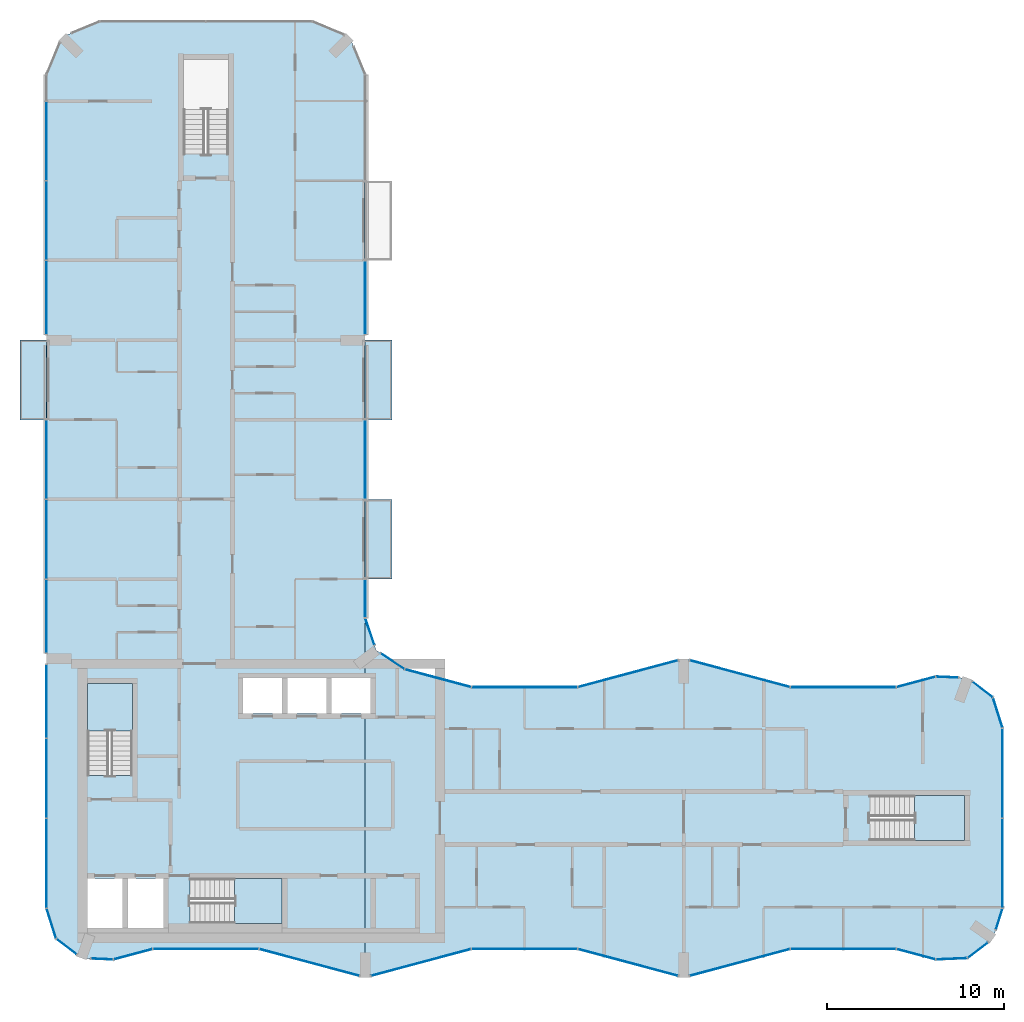
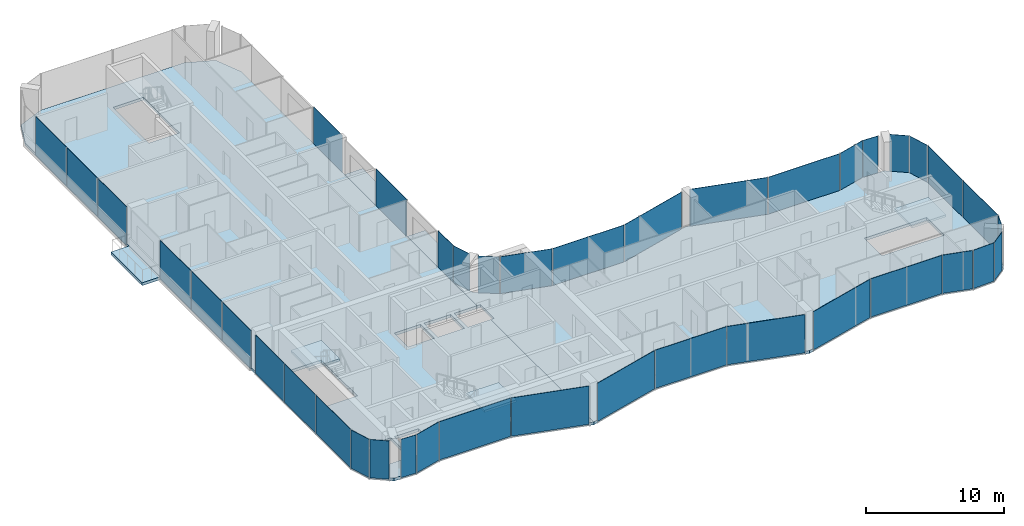
# One storey, part 8 of 15: 40 plates, 8 slabs, 36 elements without a shape of their own.
"""IFC4 building model written with IfcOpenShell, lengths in metres."""

from ifc_helpers import new_model, si_unit, direction, frame, origin, origin_2d, place, context, subcontext, project, spatial, polyline, rectangle, outline, extrude, material, layer, layer_set, type_object, element, aggregate, save


model = new_model("IFC4")

# Units and contexts
model_context = context("Model", 3, precision=1e-05, world=origin(), true_north=direction((0.0, 1.0)))
body_context = subcontext(model_context, "Body", "Model", "MODEL_VIEW")
ifc_project = project(units=[si_unit("LENGTHUNIT", "METRE"), si_unit("AREAUNIT", "SQUARE_METRE"), si_unit("VOLUMEUNIT", "CUBIC_METRE"), si_unit("PLANEANGLEUNIT", "RADIAN"), si_unit("MASSUNIT", "GRAM", prefix="KILO")], contexts=[model_context])

# Site, building, storey
site_placement = place(None, origin())
site = spatial("IfcSite", under=ifc_project, at=site_placement, CompositionType="ELEMENT")
building_placement = place(site_placement, origin())
building = spatial("IfcBuilding", under=site, at=building_placement, Name="Plateau Cross Towers", CompositionType="ELEMENT")
storey_placement = place(building_placement, frame((0.0, 0.0, 204.89990234375)))
storey = spatial("IfcBuildingStorey", under=building, at=storey_placement, Name="L53", CompositionType="ELEMENT", Elevation=204.89990234375)

# Slabs
ifc_material_1 = material(Name="Concrete C40/50", Category="concrete")
ifc_layer_1 = layer(ifc_material_1, 0.25)
ifc_layer_set_1 = layer_set([ifc_layer_1], Name="Concrete C40/50")
slab_type_1 = type_object("IfcSlabType", Name="Balcony slab 250", PredefinedType="FLOOR", material=ifc_layer_set_1)
slab_1_placement = place(storey_placement, frame((0.0, 0.0, -0.25)))
element("IfcSlab", 1, at=slab_1_placement, inside=storey, type_object=slab_type_1, Name="Balcony slab A-BAL-L53-01", PredefinedType="FLOOR", context=body_context, shape_type="SweptSolid", body=[
    extrude(outline(polyline([(0.0, 31.5), (0.0, 36.0), (-1.5, 36.0), (-1.5, 31.5), (0.0, 31.5)])), origin(), (0.0, 0.0, 1.0), 0.25),
])
slab_2_placement = place(storey_placement, frame((0.0, 0.0, -0.25)))
element("IfcSlab", 2, at=slab_2_placement, inside=storey, type_object=slab_type_1, Name="Balcony slab A-BAL-L53-02", PredefinedType="FLOOR", context=body_context, shape_type="SweptSolid", body=[
    extrude(outline(polyline([(19.5, 22.5), (19.5, 27.0), (18.0, 27.0), (18.0, 22.5), (19.5, 22.5)])), origin(), (0.0, 0.0, 1.0), 0.25),
])
slab_3_placement = place(storey_placement, frame((0.0, 0.0, -0.25)))
element("IfcSlab", 3, at=slab_3_placement, inside=storey, type_object=slab_type_1, Name="Balcony slab A-BAL-L53-03", PredefinedType="FLOOR", context=body_context, shape_type="SweptSolid", body=[
    extrude(outline(polyline([(19.5, 31.5), (19.5, 36.0), (18.0, 36.0), (18.0, 31.5), (19.5, 31.5)])), origin(), (0.0, 0.0, 1.0), 0.25),
])

# Curtain wall, plate
ifc_material_2 = material(Name="Dark low-iron glass", Category="glass")
ifc_layer_2 = layer(ifc_material_2, 0.239990234375)
ifc_layer_set_2 = layer_set([ifc_layer_2], Name="Dark low-iron glass")
curtain_wall_type_1 = type_object("IfcCurtainWallType", Name="Curtain wall flush unitised CW-B", PredefinedType="NOTDEFINED", material=ifc_layer_set_2)
curtain_wall_1_placement = place(storey_placement, origin())
curtain_wall_1 = element("IfcCurtainWall", 4, at=curtain_wall_1_placement, inside=storey, type_object=curtain_wall_type_1, Name="ENV/A/L53/A502_10", PredefinedType="NOTDEFINED")
ifc_layer_3 = layer(ifc_material_2, 0.031982421875)
ifc_layer_set_3 = layer_set([ifc_layer_3], Name="Dark low-iron glass")
plate_type_1 = type_object("IfcPlateType", Name="Glass panel 32 flush unitised", PredefinedType="CURTAIN_PANEL", material=ifc_layer_set_3)
plate_1_placement = place(storey_placement, frame((51.125, 1.05078125, -0.1298828125), z_axis=(0.0, 0.0, 1.0), x_axis=(0.999043701491, 0.043722791671, 0.0)))
plate_1 = element("IfcPlate", 5, at=plate_1_placement, type_object=plate_type_1, Name="CW-B panel 1", PredefinedType="CURTAIN_PANEL", context=body_context, shape_type="SweptSolid", body=[
    extrude(rectangle(XDim=1.744140625, YDim=0.031982421875, at=origin_2d()), origin(), (0.0, 0.0, 1.0), 3.3798828125),
])
aggregate(curtain_wall_1, [plate_1])

curtain_wall_2_placement = place(storey_placement, origin())
curtain_wall_2 = element("IfcCurtainWall", 6, at=curtain_wall_2_placement, inside=storey, type_object=curtain_wall_type_1, Name="ENV/A/L53/A520_11", PredefinedType="NOTDEFINED")
plate_2_placement = place(storey_placement, frame((52.60986328125, 1.5380859375, -0.1298828125), z_axis=(0.0, 0.0, 1.0), x_axis=(0.793315514529, 0.608810721331, 0.0)))
plate_2 = element("IfcPlate", 7, at=plate_2_placement, type_object=plate_type_1, Name="CW-B panel 1", PredefinedType="CURTAIN_PANEL", context=body_context, shape_type="SweptSolid", body=[
    extrude(rectangle(XDim=1.41162109375, YDim=0.031982421875, at=origin_2d()), origin(), (0.0, 0.0, 1.0), 3.3798828125),
])
aggregate(curtain_wall_2, [plate_2])

curtain_wall_3_placement = place(storey_placement, origin())
curtain_wall_3 = element("IfcCurtainWall", 8, at=curtain_wall_3_placement, inside=storey, type_object=curtain_wall_type_1, Name="ENV/A/L53/A536_27", PredefinedType="NOTDEFINED")
plate_3_placement = place(storey_placement, frame((53.805419921875, 3.292236328125, -0.1298828125), z_axis=(0.0, 0.0, 1.0), x_axis=(0.300686174994, 0.95372313811, 0.0)))
plate_3 = element("IfcPlate", 9, at=plate_3_placement, type_object=plate_type_1, Name="CW-B panel 1", PredefinedType="CURTAIN_PANEL", context=body_context, shape_type="SweptSolid", body=[
    extrude(rectangle(XDim=1.233642578125, YDim=0.031982421875, at=origin_2d()), origin(), (0.0, 0.0, 1.0), 3.3798828125),
])
aggregate(curtain_wall_3, [plate_3])

# Curtain wall, plates
curtain_wall_4_placement = place(storey_placement, origin())
curtain_wall_4 = element("IfcCurtainWall", 10, at=curtain_wall_4_placement, inside=storey, type_object=curtain_wall_type_1, Name="ENV/A/L53/A540_39", PredefinedType="NOTDEFINED")
plate_4_placement = place(storey_placement, frame((54.0, 6.45458984375, -0.1298828125), z_axis=(0.0, 0.0, 1.0), x_axis=(0.0, 1.0, 0.0)))
plate_4 = element("IfcPlate", 11, at=plate_4_placement, type_object=plate_type_1, Name="CW-B panel 1", PredefinedType="CURTAIN_PANEL", context=body_context, shape_type="SweptSolid", body=[
    extrude(rectangle(XDim=5.03076171875, YDim=0.031982421875, at=origin_2d()), origin(), (0.0, 0.0, 1.0), 3.3798828125),
])
plate_5_placement = place(storey_placement, frame((54.0, 11.54541015625, -0.1298828125), z_axis=(0.0, 0.0, 1.0), x_axis=(0.0, 1.0, 0.0)))
plate_5 = element("IfcPlate", 12, at=plate_5_placement, type_object=plate_type_1, Name="CW-B panel 2", PredefinedType="CURTAIN_PANEL", context=body_context, shape_type="SweptSolid", body=[
    extrude(rectangle(XDim=5.03076171875, YDim=0.031982421875, at=origin_2d()), origin(), (0.0, 0.0, 1.0), 3.3798828125),
])
aggregate(curtain_wall_4, [plate_4, plate_5])

# Curtain wall, plate
curtain_wall_5_placement = place(storey_placement, origin())
curtain_wall_5 = element("IfcCurtainWall", 13, at=curtain_wall_5_placement, inside=storey, type_object=curtain_wall_type_1, Name="ENV/A/L53/A540_141", PredefinedType="NOTDEFINED")
plate_6_placement = place(storey_placement, frame((53.728759765625, 14.951171875, -0.1298828125), z_axis=(0.0, 0.0, 1.0), x_axis=(-0.300686174994, 0.95372313811, 0.0)))
plate_6 = element("IfcPlate", 14, at=plate_6_placement, type_object=plate_type_1, Name="CW-B panel 1", PredefinedType="CURTAIN_PANEL", context=body_context, shape_type="SweptSolid", body=[
    extrude(rectangle(XDim=1.744140625, YDim=0.031982421875, at=origin_2d()), origin(), (0.0, 0.0, 1.0), 3.3798828125),
])
aggregate(curtain_wall_5, [plate_6])

curtain_wall_6_placement = place(storey_placement, origin())
curtain_wall_6 = element("IfcCurtainWall", 15, at=curtain_wall_6_placement, inside=storey, type_object=curtain_wall_type_1, Name="ENV/A/L53/A535_158", PredefinedType="NOTDEFINED")
plate_7_placement = place(storey_placement, frame((52.873779296875, 16.25927734375, -0.1298828125), z_axis=(0.0, 0.0, 1.0), x_axis=(-0.793315514529, 0.608810721331, 0.0)))
plate_7 = element("IfcPlate", 16, at=plate_7_placement, type_object=plate_type_1, Name="CW-B panel 1", PredefinedType="CURTAIN_PANEL", context=body_context, shape_type="SweptSolid", body=[
    extrude(rectangle(XDim=1.41162109375, YDim=0.031982421875, at=origin_2d()), origin(), (0.0, 0.0, 1.0), 3.3798828125),
])
aggregate(curtain_wall_6, [plate_7])

curtain_wall_7_placement = place(storey_placement, origin())
curtain_wall_7 = element("IfcCurtainWall", 17, at=curtain_wall_7_placement, inside=storey, type_object=curtain_wall_type_1, Name="ENV/A/L53/A515_169", PredefinedType="NOTDEFINED")
plate_8_placement = place(storey_placement, frame((50.8701171875, 16.96044921875, -0.1298828125), z_axis=(0.0, 0.0, 1.0), x_axis=(-0.999043701491, 0.043722791671, 0.0)))
plate_8 = element("IfcPlate", 18, at=plate_8_placement, type_object=plate_type_1, Name="CW-B panel 1", PredefinedType="CURTAIN_PANEL", context=body_context, shape_type="SweptSolid", body=[
    extrude(rectangle(XDim=1.233642578125, YDim=0.031982421875, at=origin_2d()), origin(), (0.0, 0.0, 1.0), 3.3798828125),
])
aggregate(curtain_wall_7, [plate_8])

curtain_wall_8_placement = place(storey_placement, origin())
curtain_wall_8 = element("IfcCurtainWall", 19, at=curtain_wall_8_placement, inside=storey, type_object=curtain_wall_type_1, Name="ENV/A/L53/A202_174", PredefinedType="NOTDEFINED")
plate_9_placement = place(storey_placement, frame((19.546630859375, 17.856689453125, -0.1298828125), z_axis=(0.0, 0.0, 1.0), x_axis=(-0.831521253329, 0.555492938984, 0.0)))
plate_9 = element("IfcPlate", 20, at=plate_9_placement, type_object=plate_type_1, Name="CW-B panel 1", PredefinedType="CURTAIN_PANEL", context=body_context, shape_type="SweptSolid", body=[
    extrude(rectangle(XDim=1.56884765625, YDim=0.031982421875, at=origin_2d()), origin(), (0.0, 0.0, 1.0), 3.3798828125),
])
aggregate(curtain_wall_8, [plate_9])

curtain_wall_9_placement = place(storey_placement, origin())
curtain_wall_9 = element("IfcCurtainWall", 21, at=curtain_wall_9_placement, inside=storey, type_object=curtain_wall_type_1, Name="ENV/A/L53/A185_188", PredefinedType="NOTDEFINED")
plate_10_placement = place(storey_placement, frame((18.26171875, 19.531005859375, -0.1298828125), z_axis=(0.0, 0.0, 1.0), x_axis=(-0.321469161574, 0.94692004845, 0.0)))
plate_10 = element("IfcPlate", 22, at=plate_10_placement, type_object=plate_type_1, Name="CW-B panel 1", PredefinedType="CURTAIN_PANEL", context=body_context, shape_type="SweptSolid", body=[
    extrude(rectangle(XDim=1.56884765625, YDim=0.031982421875, at=origin_2d()), origin(), (0.0, 0.0, 1.0), 3.3798828125),
])
aggregate(curtain_wall_9, [plate_10])

curtain_wall_10_placement = place(storey_placement, origin())
curtain_wall_10 = element("IfcCurtainWall", 23, at=curtain_wall_10_placement, inside=storey, type_object=curtain_wall_type_1, Name="ENV/A/L53/A180_203", PredefinedType="NOTDEFINED")
plate_11_placement = place(storey_placement, frame((18.0, 21.396240234375, -0.1298828125), z_axis=(0.0, 0.0, 1.0), x_axis=(0.0, 1.0, 0.0)))
plate_11 = element("IfcPlate", 24, at=plate_11_placement, type_object=plate_type_1, Name="CW-B panel 1", PredefinedType="CURTAIN_PANEL", context=body_context, shape_type="SweptSolid", body=[
    extrude(rectangle(XDim=2.127685546875, YDim=0.031982421875, at=origin_2d()), origin(), (0.0, 0.0, 1.0), 3.3798828125),
])
aggregate(curtain_wall_10, [plate_11])

curtain_wall_11_placement = place(storey_placement, origin())
curtain_wall_11 = element("IfcCurtainWall", 25, at=curtain_wall_11_placement, inside=storey, type_object=curtain_wall_type_1, Name="ENV/A/L53/A180_270", PredefinedType="NOTDEFINED")
plate_12_placement = place(storey_placement, frame((18.0, 29.25, -0.1298828125), z_axis=(0.0, 0.0, 1.0), x_axis=(0.0, 1.0, 0.0)))
plate_12 = element("IfcPlate", 26, at=plate_12_placement, type_object=plate_type_1, Name="CW-B panel 1", PredefinedType="CURTAIN_PANEL", context=body_context, shape_type="SweptSolid", body=[
    extrude(rectangle(XDim=4.419921875, YDim=0.031982421875, at=origin_2d()), origin(), (0.0, 0.0, 1.0), 3.3798828125),
])
aggregate(curtain_wall_11, [plate_12])

curtain_wall_12_placement = place(storey_placement, origin())
curtain_wall_12 = element("IfcCurtainWall", 27, at=curtain_wall_12_placement, inside=storey, type_object=curtain_wall_type_1, Name="ENV/A/L53/A180_363", PredefinedType="NOTDEFINED")
plate_13_placement = place(storey_placement, frame((18.0, 38.39501953125, -0.1298828125), z_axis=(0.0, 0.0, 1.0), x_axis=(0.0, 1.0, 0.0)))
plate_13 = element("IfcPlate", 28, at=plate_13_placement, type_object=plate_type_1, Name="CW-B panel 1", PredefinedType="CURTAIN_PANEL", context=body_context, shape_type="SweptSolid", body=[
    extrude(rectangle(XDim=4.1298828125, YDim=0.031982421875, at=origin_2d()), origin(), (0.0, 0.0, 1.0), 3.3798828125),
])
aggregate(curtain_wall_12, [plate_13])

# Curtain wall, plates
curtain_wall_13_placement = place(storey_placement, origin())
curtain_wall_13 = element("IfcCurtainWall", 29, at=curtain_wall_13_placement, inside=storey, type_object=curtain_wall_type_1, Name="ENV/A/L53/A0_510", PredefinedType="NOTDEFINED")
plate_14_placement = place(storey_placement, frame((0.0, 47.25, -0.1298828125), z_axis=(0.0, 0.0, 1.0), x_axis=(0.0, -1.0, 0.0)))
plate_14 = element("IfcPlate", 30, at=plate_14_placement, type_object=plate_type_1, Name="CW-B panel 2", PredefinedType="CURTAIN_PANEL", context=body_context, shape_type="SweptSolid", body=[
    extrude(rectangle(XDim=4.43994140625, YDim=0.031982421875, at=origin_2d()), origin(), (0.0, 0.0, 1.0), 3.3798828125),
])
plate_15_placement = place(storey_placement, frame((0.0, 42.75, -0.1298828125), z_axis=(0.0, 0.0, 1.0), x_axis=(0.0, -1.0, 0.0)))
plate_15 = element("IfcPlate", 31, at=plate_15_placement, type_object=plate_type_1, Name="CW-B panel 3", PredefinedType="CURTAIN_PANEL", context=body_context, shape_type="SweptSolid", body=[
    extrude(rectangle(XDim=4.43994140625, YDim=0.031982421875, at=origin_2d()), origin(), (0.0, 0.0, 1.0), 3.3798828125),
])
plate_16_placement = place(storey_placement, frame((0.0, 38.39990234375, -0.1298828125), z_axis=(0.0, 0.0, 1.0), x_axis=(0.0, -1.0, 0.0)))
plate_16 = element("IfcPlate", 32, at=plate_16_placement, type_object=plate_type_1, Name="CW-B panel 4", PredefinedType="CURTAIN_PANEL", context=body_context, shape_type="SweptSolid", body=[
    extrude(rectangle(XDim=4.139892578125, YDim=0.031982421875, at=origin_2d()), origin(), (0.0, 0.0, 1.0), 3.3798828125),
])
aggregate(curtain_wall_13, [plate_14, plate_15, plate_16])

curtain_wall_14_placement = place(storey_placement, origin())
curtain_wall_14 = element("IfcCurtainWall", 33, at=curtain_wall_14_placement, inside=storey, type_object=curtain_wall_type_1, Name="ENV/A/L53/A0_315", PredefinedType="NOTDEFINED")
plate_17_placement = place(storey_placement, frame((0.0, 29.2451171875, -0.1298828125), z_axis=(0.0, 0.0, 1.0), x_axis=(0.0, -1.0, 0.0)))
plate_17 = element("IfcPlate", 34, at=plate_17_placement, type_object=plate_type_1, Name="CW-B panel 1", PredefinedType="CURTAIN_PANEL", context=body_context, shape_type="SweptSolid", body=[
    extrude(rectangle(XDim=4.429931640625, YDim=0.031982421875, at=origin_2d()), origin(), (0.0, 0.0, 1.0), 3.3798828125),
])
plate_18_placement = place(storey_placement, frame((0.0, 24.75, -0.1298828125), z_axis=(0.0, 0.0, 1.0), x_axis=(0.0, -1.0, 0.0)))
plate_18 = element("IfcPlate", 35, at=plate_18_placement, type_object=plate_type_1, Name="CW-B panel 2", PredefinedType="CURTAIN_PANEL", context=body_context, shape_type="SweptSolid", body=[
    extrude(rectangle(XDim=4.43994140625, YDim=0.031982421875, at=origin_2d()), origin(), (0.0, 0.0, 1.0), 3.3798828125),
])
plate_19_placement = place(storey_placement, frame((0.0, 20.39990234375, -0.1298828125), z_axis=(0.0, 0.0, 1.0), x_axis=(0.0, -1.0, 0.0)))
plate_19 = element("IfcPlate", 36, at=plate_19_placement, type_object=plate_type_1, Name="CW-B panel 3", PredefinedType="CURTAIN_PANEL", context=body_context, shape_type="SweptSolid", body=[
    extrude(rectangle(XDim=4.139892578125, YDim=0.031982421875, at=origin_2d()), origin(), (0.0, 0.0, 1.0), 3.3798828125),
])
aggregate(curtain_wall_14, [plate_17, plate_18, plate_19])

curtain_wall_15_placement = place(storey_placement, origin())
curtain_wall_15 = element("IfcCurtainWall", 37, at=curtain_wall_15_placement, inside=storey, type_object=curtain_wall_type_1, Name="ENV/A/L53/A0_177", PredefinedType="NOTDEFINED")
plate_20_placement = place(storey_placement, frame((0.0, 15.60009765625, -0.1298828125), z_axis=(0.0, 0.0, 1.0), x_axis=(0.0, -1.0, 0.0)))
plate_20 = element("IfcPlate", 38, at=plate_20_placement, type_object=plate_type_1, Name="CW-B panel 1", PredefinedType="CURTAIN_PANEL", context=body_context, shape_type="SweptSolid", body=[
    extrude(rectangle(XDim=4.139892578125, YDim=0.031982421875, at=origin_2d()), origin(), (0.0, 0.0, 1.0), 3.3798828125),
])
plate_21_placement = place(storey_placement, frame((0.0, 11.25, -0.1298828125), z_axis=(0.0, 0.0, 1.0), x_axis=(0.0, -1.0, 0.0)))
plate_21 = element("IfcPlate", 39, at=plate_21_placement, type_object=plate_type_1, Name="CW-B panel 2", PredefinedType="CURTAIN_PANEL", context=body_context, shape_type="SweptSolid", body=[
    extrude(rectangle(XDim=4.43994140625, YDim=0.031982421875, at=origin_2d()), origin(), (0.0, 0.0, 1.0), 3.3798828125),
])
plate_22_placement = place(storey_placement, frame((0.0, 6.45458984375, -0.1298828125), z_axis=(0.0, 0.0, 1.0), x_axis=(0.0, -1.0, 0.0)))
plate_22 = element("IfcPlate", 40, at=plate_22_placement, type_object=plate_type_1, Name="CW-B panel 3", PredefinedType="CURTAIN_PANEL", context=body_context, shape_type="SweptSolid", body=[
    extrude(rectangle(XDim=5.03076171875, YDim=0.031982421875, at=origin_2d()), origin(), (0.0, 0.0, 1.0), 3.3798828125),
])
aggregate(curtain_wall_15, [plate_20, plate_21, plate_22])

# Curtain wall, plate
curtain_wall_16_placement = place(storey_placement, origin())
curtain_wall_16 = element("IfcCurtainWall", 41, at=curtain_wall_16_placement, inside=storey, type_object=curtain_wall_type_1, Name="ENV/A/L53/A0_39", PredefinedType="NOTDEFINED")
plate_23_placement = place(storey_placement, frame((0.271240234375, 3.048828125, -0.1298828125), z_axis=(0.0, 0.0, 1.0), x_axis=(0.300686174994, -0.95372313811, 0.0)))
plate_23 = element("IfcPlate", 42, at=plate_23_placement, type_object=plate_type_1, Name="CW-B panel 1", PredefinedType="CURTAIN_PANEL", context=body_context, shape_type="SweptSolid", body=[
    extrude(rectangle(XDim=1.744140625, YDim=0.031982421875, at=origin_2d()), origin(), (0.0, 0.0, 1.0), 3.3798828125),
])
aggregate(curtain_wall_16, [plate_23])

curtain_wall_17_placement = place(storey_placement, origin())
curtain_wall_17 = element("IfcCurtainWall", 43, at=curtain_wall_17_placement, inside=storey, type_object=curtain_wall_type_1, Name="ENV/A/L53/A5_22", PredefinedType="NOTDEFINED")
plate_24_placement = place(storey_placement, frame((1.126220703125, 1.74072265625, -0.1298828125), z_axis=(0.0, 0.0, 1.0), x_axis=(0.793315514529, -0.608810721331, 0.0)))
plate_24 = element("IfcPlate", 44, at=plate_24_placement, type_object=plate_type_1, Name="CW-B panel 1", PredefinedType="CURTAIN_PANEL", context=body_context, shape_type="SweptSolid", body=[
    extrude(rectangle(XDim=1.41162109375, YDim=0.031982421875, at=origin_2d()), origin(), (0.0, 0.0, 1.0), 3.3798828125),
])
aggregate(curtain_wall_17, [plate_24])

curtain_wall_18_placement = place(storey_placement, origin())
curtain_wall_18 = element("IfcCurtainWall", 45, at=curtain_wall_18_placement, inside=storey, type_object=curtain_wall_type_1, Name="ENV/A/L53/A25_11", PredefinedType="NOTDEFINED")
plate_25_placement = place(storey_placement, frame((3.1298828125, 1.03955078125, -0.1298828125), z_axis=(0.0, 0.0, 1.0), x_axis=(0.999043701491, -0.043722791671, 0.0)))
plate_25 = element("IfcPlate", 46, at=plate_25_placement, type_object=plate_type_1, Name="CW-B panel 1", PredefinedType="CURTAIN_PANEL", context=body_context, shape_type="SweptSolid", body=[
    extrude(rectangle(XDim=1.233642578125, YDim=0.031982421875, at=origin_2d()), origin(), (0.0, 0.0, 1.0), 3.3798828125),
])
aggregate(curtain_wall_18, [plate_25])

ifc_layer_4 = layer(ifc_material_2, 0.260009765625)
ifc_layer_set_4 = layer_set([ifc_layer_4], Name="Dark low-iron glass")
curtain_wall_type_2 = type_object("IfcCurtainWallType", Name="Curtain wall fluted unitised CW-A", PredefinedType="NOTDEFINED", material=ifc_layer_set_4)
curtain_wall_19_placement = place(storey_placement, origin())
curtain_wall_19 = element("IfcCurtainWall", 47, at=curtain_wall_19_placement, inside=storey, type_object=curtain_wall_type_2, Name="ENV/A/L53/A38_10", PredefinedType="NOTDEFINED")
ifc_layer_5 = layer(ifc_material_2, 0.035888671875)
ifc_layer_set_5 = layer_set([ifc_layer_5], Name="Dark low-iron glass")
plate_type_2 = type_object("IfcPlateType", Name="Glass panel 36 fluted unitised", PredefinedType="CURTAIN_PANEL", material=ifc_layer_set_5)
plate_26_placement = place(storey_placement, frame((4.887939453125, 1.30908203125, -0.1298828125), z_axis=(0.0, 0.0, 1.0), x_axis=(0.965957962328, 0.258699081978, 0.0)))
plate_26 = element("IfcPlate", 48, at=plate_26_placement, type_object=plate_type_2, Name="CW-A panel 1", PredefinedType="CURTAIN_PANEL", context=body_context, shape_type="SweptSolid", body=[
    extrude(rectangle(XDim=2.2421875, YDim=0.035888671875, at=origin_2d()), origin(), (0.0, 0.0, 1.0), 3.3798828125),
])
aggregate(curtain_wall_19, [plate_26])

curtain_wall_20_placement = place(storey_placement, origin())
curtain_wall_20 = element("IfcCurtainWall", 49, at=curtain_wall_20_placement, inside=storey, type_object=curtain_wall_type_2, Name="ENV/A/L53/A60_16", PredefinedType="NOTDEFINED")
plate_27_placement = place(storey_placement, frame((9.0, 1.60693359375, -0.1298828125), z_axis=(0.0, 0.0, 1.0), x_axis=(1.0, 0.0, 0.0)))
plate_27 = element("IfcPlate", 50, at=plate_27_placement, type_object=plate_type_2, Name="CW-A panel 1", PredefinedType="CURTAIN_PANEL", context=body_context, shape_type="SweptSolid", body=[
    extrude(rectangle(XDim=5.93994140625, YDim=0.035888671875, at=origin_2d()), origin(), (0.0, 0.0, 1.0), 3.3798828125),
])
aggregate(curtain_wall_20, [plate_27])

curtain_wall_21_placement = place(storey_placement, origin())
curtain_wall_21 = element("IfcCurtainWall", 51, at=curtain_wall_21_placement, inside=storey, type_object=curtain_wall_type_2, Name="ENV/A/L53/A120_16", PredefinedType="NOTDEFINED")
plate_28_placement = place(storey_placement, frame((14.841064453125, 0.845947265625, -0.1298828125), z_axis=(0.0, 0.0, 1.0), x_axis=(0.965957983404, -0.258699003279, 0.0)))
plate_28 = element("IfcPlate", 52, at=plate_28_placement, type_object=plate_type_2, Name="CW-A panel 1", PredefinedType="CURTAIN_PANEL", context=body_context, shape_type="SweptSolid", body=[
    extrude(rectangle(XDim=5.822265625, YDim=0.035888671875, at=origin_2d()), origin(), (0.0, 0.0, 1.0), 3.3798828125),
])
aggregate(curtain_wall_21, [plate_28])

curtain_wall_22_placement = place(storey_placement, origin())
curtain_wall_22 = element("IfcCurtainWall", 53, at=curtain_wall_22_placement, inside=storey, type_object=curtain_wall_type_2, Name="ENV/A/L53/A183_1", PredefinedType="NOTDEFINED")
plate_29_placement = place(storey_placement, frame((21.158935546875, 0.845947265625, -0.1298828125), z_axis=(0.0, 0.0, 1.0), x_axis=(0.965957983404, 0.258699003279, 0.0)))
plate_29 = element("IfcPlate", 54, at=plate_29_placement, type_object=plate_type_2, Name="CW-A panel 1", PredefinedType="CURTAIN_PANEL", context=body_context, shape_type="SweptSolid", body=[
    extrude(rectangle(XDim=5.822265625, YDim=0.035888671875, at=origin_2d()), origin(), (0.0, 0.0, 1.0), 3.3798828125),
])
aggregate(curtain_wall_22, [plate_29])

curtain_wall_23_placement = place(storey_placement, origin())
curtain_wall_23 = element("IfcCurtainWall", 55, at=curtain_wall_23_placement, inside=storey, type_object=curtain_wall_type_2, Name="ENV/A/L53/A240_16", PredefinedType="NOTDEFINED")
plate_30_placement = place(storey_placement, frame((27.0, 1.60693359375, -0.1298828125), z_axis=(0.0, 0.0, 1.0), x_axis=(1.0, 0.0, 0.0)))
plate_30 = element("IfcPlate", 56, at=plate_30_placement, type_object=plate_type_2, Name="CW-A panel 1", PredefinedType="CURTAIN_PANEL", context=body_context, shape_type="SweptSolid", body=[
    extrude(rectangle(XDim=5.93994140625, YDim=0.035888671875, at=origin_2d()), origin(), (0.0, 0.0, 1.0), 3.3798828125),
])
aggregate(curtain_wall_23, [plate_30])

curtain_wall_24_placement = place(storey_placement, origin())
curtain_wall_24 = element("IfcCurtainWall", 57, at=curtain_wall_24_placement, inside=storey, type_object=curtain_wall_type_2, Name="ENV/A/L53/A300_16", PredefinedType="NOTDEFINED")
plate_31_placement = place(storey_placement, frame((32.841064453125, 0.845947265625, -0.1298828125), z_axis=(0.0, 0.0, 1.0), x_axis=(0.965957983404, -0.258699003279, 0.0)))
plate_31 = element("IfcPlate", 58, at=plate_31_placement, type_object=plate_type_2, Name="CW-A panel 1", PredefinedType="CURTAIN_PANEL", context=body_context, shape_type="SweptSolid", body=[
    extrude(rectangle(XDim=5.822265625, YDim=0.035888671875, at=origin_2d()), origin(), (0.0, 0.0, 1.0), 3.3798828125),
])
aggregate(curtain_wall_24, [plate_31])

curtain_wall_25_placement = place(storey_placement, origin())
curtain_wall_25 = element("IfcCurtainWall", 59, at=curtain_wall_25_placement, inside=storey, type_object=curtain_wall_type_2, Name="ENV/A/L53/A363_1", PredefinedType="NOTDEFINED")
plate_32_placement = place(storey_placement, frame((39.158935546875, 0.845947265625, -0.1298828125), z_axis=(0.0, 0.0, 1.0), x_axis=(0.965957983404, 0.258699003279, 0.0)))
plate_32 = element("IfcPlate", 60, at=plate_32_placement, type_object=plate_type_2, Name="CW-A panel 1", PredefinedType="CURTAIN_PANEL", context=body_context, shape_type="SweptSolid", body=[
    extrude(rectangle(XDim=5.822265625, YDim=0.035888671875, at=origin_2d()), origin(), (0.0, 0.0, 1.0), 3.3798828125),
])
aggregate(curtain_wall_25, [plate_32])

curtain_wall_26_placement = place(storey_placement, origin())
curtain_wall_26 = element("IfcCurtainWall", 61, at=curtain_wall_26_placement, inside=storey, type_object=curtain_wall_type_2, Name="ENV/A/L53/A420_16", PredefinedType="NOTDEFINED")
plate_33_placement = place(storey_placement, frame((45.0, 1.60693359375, -0.1298828125), z_axis=(0.0, 0.0, 1.0), x_axis=(1.0, 0.0, 0.0)))
plate_33 = element("IfcPlate", 62, at=plate_33_placement, type_object=plate_type_2, Name="CW-A panel 1", PredefinedType="CURTAIN_PANEL", context=body_context, shape_type="SweptSolid", body=[
    extrude(rectangle(XDim=5.93994140625, YDim=0.035888671875, at=origin_2d()), origin(), (0.0, 0.0, 1.0), 3.3798828125),
])
aggregate(curtain_wall_26, [plate_33])

curtain_wall_27_placement = place(storey_placement, origin())
curtain_wall_27 = element("IfcCurtainWall", 63, at=curtain_wall_27_placement, inside=storey, type_object=curtain_wall_type_2, Name="ENV/A/L53/A480_16", PredefinedType="NOTDEFINED")
plate_34_placement = place(storey_placement, frame((49.112060546875, 1.30908203125, -0.1298828125), z_axis=(0.0, 0.0, 1.0), x_axis=(0.965957962328, -0.258699081978, 0.0)))
plate_34 = element("IfcPlate", 64, at=plate_34_placement, type_object=plate_type_2, Name="CW-A panel 1", PredefinedType="CURTAIN_PANEL", context=body_context, shape_type="SweptSolid", body=[
    extrude(rectangle(XDim=2.2421875, YDim=0.035888671875, at=origin_2d()), origin(), (0.0, 0.0, 1.0), 3.3798828125),
])
aggregate(curtain_wall_27, [plate_34])

curtain_wall_28_placement = place(storey_placement, origin())
curtain_wall_28 = element("IfcCurtainWall", 65, at=curtain_wall_28_placement, inside=storey, type_object=curtain_wall_type_2, Name="ENV/A/L53/A502_170", PredefinedType="NOTDEFINED")
plate_35_placement = place(storey_placement, frame((49.112060546875, 16.69091796875, -0.1298828125), z_axis=(0.0, 0.0, 1.0), x_axis=(-0.965957962328, -0.258699081978, 0.0)))
plate_35 = element("IfcPlate", 66, at=plate_35_placement, type_object=plate_type_2, Name="CW-A panel 1", PredefinedType="CURTAIN_PANEL", context=body_context, shape_type="SweptSolid", body=[
    extrude(rectangle(XDim=2.2421875, YDim=0.035888671875, at=origin_2d()), origin(), (0.0, 0.0, 1.0), 3.3798828125),
])
aggregate(curtain_wall_28, [plate_35])

curtain_wall_29_placement = place(storey_placement, origin())
curtain_wall_29 = element("IfcCurtainWall", 67, at=curtain_wall_29_placement, inside=storey, type_object=curtain_wall_type_2, Name="ENV/A/L53/A480_164", PredefinedType="NOTDEFINED")
plate_36_placement = place(storey_placement, frame((45.0, 16.39306640625, -0.1298828125), z_axis=(0.0, 0.0, 1.0), x_axis=(-1.0, 0.0, 0.0)))
plate_36 = element("IfcPlate", 68, at=plate_36_placement, type_object=plate_type_2, Name="CW-A panel 1", PredefinedType="CURTAIN_PANEL", context=body_context, shape_type="SweptSolid", body=[
    extrude(rectangle(XDim=5.93994140625, YDim=0.035888671875, at=origin_2d()), origin(), (0.0, 0.0, 1.0), 3.3798828125),
])
aggregate(curtain_wall_29, [plate_36])

curtain_wall_30_placement = place(storey_placement, origin())
curtain_wall_30 = element("IfcCurtainWall", 69, at=curtain_wall_30_placement, inside=storey, type_object=curtain_wall_type_2, Name="ENV/A/L53/A420_164", PredefinedType="NOTDEFINED")
plate_37_placement = place(storey_placement, frame((39.158935546875, 17.154052734375, -0.1298828125), z_axis=(0.0, 0.0, 1.0), x_axis=(-0.965957983404, 0.258699003279, 0.0)))
plate_37 = element("IfcPlate", 70, at=plate_37_placement, type_object=plate_type_2, Name="CW-A panel 1", PredefinedType="CURTAIN_PANEL", context=body_context, shape_type="SweptSolid", body=[
    extrude(rectangle(XDim=5.822265625, YDim=0.035888671875, at=origin_2d()), origin(), (0.0, 0.0, 1.0), 3.3798828125),
])
aggregate(curtain_wall_30, [plate_37])

curtain_wall_31_placement = place(storey_placement, origin())
curtain_wall_31 = element("IfcCurtainWall", 71, at=curtain_wall_31_placement, inside=storey, type_object=curtain_wall_type_2, Name="ENV/A/L53/A357_179", PredefinedType="NOTDEFINED")
plate_38_placement = place(storey_placement, frame((32.841064453125, 17.154052734375, -0.1298828125), z_axis=(0.0, 0.0, 1.0), x_axis=(-0.965957983404, -0.258699003279, 0.0)))
plate_38 = element("IfcPlate", 72, at=plate_38_placement, type_object=plate_type_2, Name="CW-A panel 1", PredefinedType="CURTAIN_PANEL", context=body_context, shape_type="SweptSolid", body=[
    extrude(rectangle(XDim=5.822265625, YDim=0.035888671875, at=origin_2d()), origin(), (0.0, 0.0, 1.0), 3.3798828125),
])
aggregate(curtain_wall_31, [plate_38])

curtain_wall_32_placement = place(storey_placement, origin())
curtain_wall_32 = element("IfcCurtainWall", 73, at=curtain_wall_32_placement, inside=storey, type_object=curtain_wall_type_2, Name="ENV/A/L53/A300_164", PredefinedType="NOTDEFINED")
plate_39_placement = place(storey_placement, frame((27.0, 16.39306640625, -0.1298828125), z_axis=(0.0, 0.0, 1.0), x_axis=(-1.0, 0.0, 0.0)))
plate_39 = element("IfcPlate", 74, at=plate_39_placement, type_object=plate_type_2, Name="CW-A panel 1", PredefinedType="CURTAIN_PANEL", context=body_context, shape_type="SweptSolid", body=[
    extrude(rectangle(XDim=5.93994140625, YDim=0.035888671875, at=origin_2d()), origin(), (0.0, 0.0, 1.0), 3.3798828125),
])
aggregate(curtain_wall_32, [plate_39])

curtain_wall_33_placement = place(storey_placement, origin())
curtain_wall_33 = element("IfcCurtainWall", 75, at=curtain_wall_33_placement, inside=storey, type_object=curtain_wall_type_2, Name="ENV/A/L53/A240_164", PredefinedType="NOTDEFINED")
plate_40_placement = place(storey_placement, frame((22.112060546875, 16.898681640625, -0.1298828125), z_axis=(0.0, 0.0, 1.0), x_axis=(-0.965957995816, 0.258698956933, 0.0)))
plate_40 = element("IfcPlate", 76, at=plate_40_placement, type_object=plate_type_2, Name="CW-A panel 1", PredefinedType="CURTAIN_PANEL", context=body_context, shape_type="SweptSolid", body=[
    extrude(rectangle(XDim=3.84912109375, YDim=0.035888671875, at=origin_2d()), origin(), (0.0, 0.0, 1.0), 3.3798828125),
])
aggregate(curtain_wall_33, [plate_40])

# Slabs
ifc_layer_6 = layer(ifc_material_1, 0.25)
ifc_layer_set_6 = layer_set([ifc_layer_6], Name="Concrete C40/50")
slab_type_2 = type_object("IfcSlabType", Name="Post-tensioned flat plate slab 250", PredefinedType="FLOOR", material=ifc_layer_set_6)
slab_4_placement = place(storey_placement, frame((0.0, 0.0, -0.25)))
element("IfcSlab", 77, at=slab_4_placement, inside=storey, type_object=slab_type_2, Name="SL-A-L53 1", PredefinedType="FLOOR", context=body_context, shape_type="SweptSolid", body=[
    extrude(outline(polyline([(0.54248046875, 2.1884765625), (0.0, 3.9091796875), (0.0, 51.0), (0.878662109375, 53.121337890625), (3.0, 54.0), (15.0, 54.0), (17.121337890625, 53.121337890625), (18.0, 51.0), (18.0, 20.30224609375), (18.0, 16.89990234375), (16.10009765625, 16.89990234375), (16.10009765625, 14.89990234375), (18.0, 14.89990234375), (18.0, 0.0), (12.0, 1.60693359375), (6.0, 1.60693359375), (3.776123046875, 1.01123046875), (1.9736328125, 1.090087890625), (0.54248046875, 2.1884765625)]), holes=[polyline([(2.300048828125, 5.60009765625), (2.300048828125, 2.800048828125), (4.300048828125, 2.800048828125), (4.300048828125, 5.60009765625), (2.300048828125, 5.60009765625)]), polyline([(4.60009765625, 5.60009765625), (4.60009765625, 2.800048828125), (6.60009765625, 2.800048828125), (6.60009765625, 5.60009765625), (4.60009765625, 5.60009765625)]), polyline([(8.10009765625, 5.60009765625), (8.10009765625, 3.050048828125), (13.300048828125, 3.050048828125), (13.300048828125, 5.60009765625), (8.10009765625, 5.60009765625)]), polyline([(2.300048828125, 11.39990234375), (4.85009765625, 11.39990234375), (4.85009765625, 16.60009765625), (2.300048828125, 16.60009765625), (2.300048828125, 11.39990234375)]), polyline([(11.10009765625, 16.89990234375), (11.10009765625, 14.89990234375), (13.300048828125, 14.89990234375), (13.300048828125, 16.89990234375), (11.10009765625, 16.89990234375)]), polyline([(13.60009765625, 16.89990234375), (13.60009765625, 14.89990234375), (15.800048828125, 14.89990234375), (15.800048828125, 16.89990234375), (13.60009765625, 16.89990234375)]), polyline([(7.72509765625, 51.699951171875), (7.72509765625, 46.5), (10.27490234375, 46.5), (10.27490234375, 51.699951171875), (7.72509765625, 51.699951171875)])]), origin(), (0.0, 0.0, 1.0), 0.25),
])
slab_5_placement = place(storey_placement, frame((0.0, 0.0, -0.25)))
element("IfcSlab", 78, at=slab_5_placement, inside=storey, type_object=slab_type_2, Name="SL-A-L53 2", PredefinedType="FLOOR", context=body_context, shape_type="SweptSolid", body=[
    extrude(outline(polyline([(18.6201171875, 18.475830078125), (20.223876953125, 17.404296875), (24.0, 16.39306640625), (30.0, 16.39306640625), (36.0, 18.0), (42.0, 16.39306640625), (48.0, 16.39306640625), (50.223876953125, 16.98876953125), (52.0263671875, 16.909912109375), (53.45751953125, 15.8115234375), (54.0, 14.0908203125), (54.0, 3.9091796875), (53.45751953125, 2.1884765625), (52.0263671875, 1.090087890625), (50.223876953125, 1.01123046875), (48.0, 1.60693359375), (42.0, 1.60693359375), (36.0, 0.0), (30.0, 1.60693359375), (24.0, 1.60693359375), (18.0, 0.0), (18.0, 14.89990234375), (18.300048828125, 14.89990234375), (18.300048828125, 16.89990234375), (18.0, 16.89990234375), (18.0, 20.30224609375), (18.6201171875, 18.475830078125)]), holes=[polyline([(46.5, 10.27490234375), (46.5, 7.72509765625), (51.699951171875, 7.72509765625), (51.699951171875, 10.27490234375), (46.5, 10.27490234375)])]), origin(), (0.0, 0.0, 1.0), 0.25),
])

# Stair, slab
stair_type = type_object("IfcStairType", Name="ST-TWR", PredefinedType="HALF_TURN_STAIR", material=ifc_material_1)
stair_1_placement = place(storey_placement, origin())
stair_1 = element("IfcStair", 79, at=stair_1_placement, inside=storey, type_object=stair_type, Name="L53 Protected Exit Stair ST-1", PredefinedType="HALF_TURN_STAIR")
ifc_layer_7 = layer(ifc_material_1, 0.199951171875)
ifc_layer_set_7 = layer_set([ifc_layer_7], Name="Concrete C40/50")
slab_type_3 = type_object("IfcSlabType", Name="SL-LANDING", PredefinedType="LANDING", material=ifc_layer_set_7)
slab_6_placement = place(storey_placement, frame((0.0, 0.0, 1.550048828125)))
slab_6 = element("IfcSlab", 80, at=slab_6_placement, type_object=slab_type_3, Name="ST-1 landing 1", PredefinedType="LANDING", context=body_context, shape_type="SweptSolid", body=[
    extrude(outline(polyline([(4.85009765625, 13.919921875), (4.85009765625, 16.60009765625), (2.300048828125, 16.60009765625), (2.300048828125, 13.919921875), (4.85009765625, 13.919921875)])), origin(), (0.0, 0.0, 1.0), 0.199951171875),
])
aggregate(stair_1, [slab_6])

stair_2_placement = place(storey_placement, origin())
stair_2 = element("IfcStair", 81, at=stair_2_placement, inside=storey, type_object=stair_type, Name="L53 Protected Exit Stair ST-2", PredefinedType="HALF_TURN_STAIR")
slab_7_placement = place(storey_placement, frame((0.0, 0.0, 1.550048828125)))
slab_7 = element("IfcSlab", 82, at=slab_7_placement, type_object=slab_type_3, Name="ST-2 landing 1", PredefinedType="LANDING", context=body_context, shape_type="SweptSolid", body=[
    extrude(outline(polyline([(10.6201171875, 3.050048828125), (13.300048828125, 3.050048828125), (13.300048828125, 5.60009765625), (10.6201171875, 5.60009765625), (10.6201171875, 3.050048828125)])), origin(), (0.0, 0.0, 1.0), 0.199951171875),
])
aggregate(stair_2, [slab_7])

stair_3_placement = place(storey_placement, origin())
stair_3 = element("IfcStair", 83, at=stair_3_placement, inside=storey, type_object=stair_type, Name="L53 Protected Exit Stair E", PredefinedType="HALF_TURN_STAIR")
slab_8_placement = place(storey_placement, frame((0.0, 0.0, 1.550048828125)))
slab_8 = element("IfcSlab", 84, at=slab_8_placement, type_object=slab_type_3, Name="ES-E landing 1", PredefinedType="LANDING", context=body_context, shape_type="SweptSolid", body=[
    extrude(outline(polyline([(49.02001953125, 7.72509765625), (51.85009765625, 7.72509765625), (51.85009765625, 10.27490234375), (49.02001953125, 10.27490234375), (49.02001953125, 7.72509765625)])), origin(), (0.0, 0.0, 1.0), 0.199951171875),
])
aggregate(stair_3, [slab_8])

save(model, "model.ifc")
